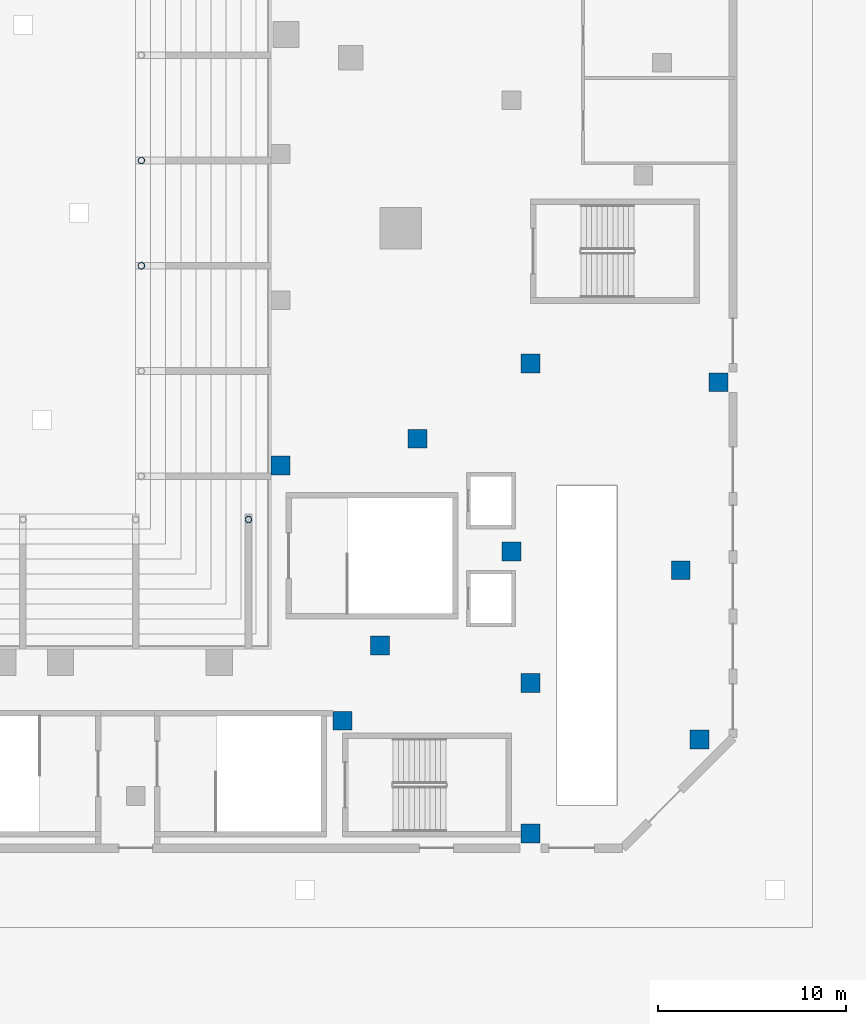
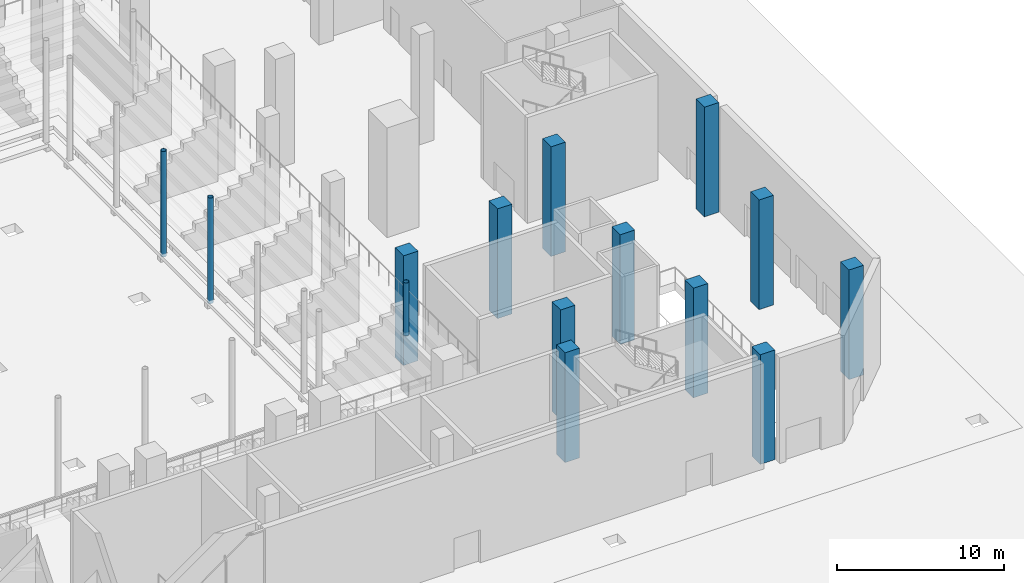
# One storey, part 9 of 41: 14 columns.
"""IFC4 building model written with IfcOpenShell, lengths in metres."""

from ifc_helpers import new_model, si_unit, direction, frame, origin, origin_2d, place, context, subcontext, project, spatial, rectangle, hollow_circle, extrude, material, material_profile, profile_set, type_object, element, save


model = new_model("IFC4")

# Units and contexts
model_context = context("Model", 3, precision=1e-05, world=origin(), true_north=direction((0.0, 1.0)))
body_context = subcontext(model_context, "Body", "Model", "MODEL_VIEW")
ifc_project = project(units=[si_unit("LENGTHUNIT", "METRE"), si_unit("AREAUNIT", "SQUARE_METRE"), si_unit("VOLUMEUNIT", "CUBIC_METRE"), si_unit("PLANEANGLEUNIT", "RADIAN"), si_unit("MASSUNIT", "GRAM", prefix="KILO")], contexts=[model_context])

# Site, building, storey
site_placement = place(None, origin())
site = spatial("IfcSite", under=ifc_project, at=site_placement, CompositionType="ELEMENT")
building_placement = place(site_placement, origin())
building = spatial("IfcBuilding", under=site, at=building_placement, Name="Wharfspan Tower", CompositionType="ELEMENT")
storey_placement = place(building_placement, origin())
storey = spatial("IfcBuildingStorey", under=building, at=storey_placement, Name="L00", CompositionType="ELEMENT", Elevation=0.0)

# Columns
ifc_material_1 = material(Name="Concrete C60/75", Category="concrete")
ifc_material_profile_1 = material_profile(ifc_material_1, rectangle(XDim=1.0, YDim=1.0, at=origin_2d()))
ifc_profile_set_1 = profile_set([ifc_material_profile_1], Name="Concrete C60/75")
column_type_1 = type_object("IfcColumnType", Name="Concrete column 1000 square", PredefinedType="COLUMN", material=ifc_profile_set_1)
for number, where, z_axis, x_axis, name in (
    (1, (83.699951, -11.419922, 0.0), (0.0, 0.0, 1.0), (1.0, 0.0, 0.0), "Column G.E6"),
    (2, (106.0, -26.0, 0.0), (0.0, 0.0, 1.0), (1.0, 0.0, 0.0), "Column D.2"),
    (3, (107.0, -7.0, 0.0), (0.0, 0.0, 1.0), (1.0, 0.0, 0.0), "Column D.5"),
    (4, (97.0, -31.0, 0.0), (0.0, 0.0, 1.0), (1.0, 0.0, 0.0), "Column D.11"),
    (5, (96.0, -16.0, 0.0), (0.0, 0.0, 1.0), (1.0, 0.0, 0.0), "Column D.13"),
    (6, (87.0, -25.0, 0.0), (0.0, 0.0, 1.0), (1.0, 0.0, 0.0), "Column D.20"),
    (7, (97.0, -6.0, 0.0), (0.0, 0.0, 1.0), (1.0, 0.0, 0.0), "Column D.28"),
    (8, (105.0, -17.0, 0.0), (0.0, 0.0, 1.0), (1.0, 0.0, 0.0), "Column D.34"),
    (9, (97.0, -23.0, 0.0), (0.0, 0.0, 1.0), (1.0, 0.0, 0.0), "Column D.52"),
    (10, (89.0, -21.0, 0.0), (0.0, 0.0, 1.0), (1.0, 0.0, 0.0), "Column D.54"),
    (11, (91.0, -10.0, 0.0), (0.0, 0.0, 1.0), (1.0, 0.0, 0.0), "Column D.58"),
):
    element("IfcColumn", number, at=place(storey_placement, frame(where, z_axis=z_axis, x_axis=x_axis)), inside=storey, type_object=column_type_1, Name=name, PredefinedType="COLUMN", context=body_context, shape_type="SweptSolid", body=[
        extrude(rectangle(XDim=1.0, YDim=1.0, at=origin_2d()), origin(), (0.0, 0.0, 1.0), 8.0),
    ])
ifc_material_2 = material(Name="Steel S460NH", Category="steel")
ifc_material_profile_2 = material_profile(ifc_material_2, hollow_circle(Radius=0.177734, WallThickness=0.016113, at=origin_2d()))
ifc_profile_set_2 = profile_set([ifc_material_profile_2], Name="Steel S460NH")
column_type_2 = type_object("IfcColumnType", Name="Tier column CHS 356x16", PredefinedType="COLUMN", material=ifc_profile_set_2)
column_placement = place(storey_placement, frame((82.0, -14.300049, 4.149902), z_axis=(0.0, 0.0, 1.0), x_axis=(1.0, 0.0, 0.0)))
element("IfcColumn", 12, at=column_placement, inside=storey, type_object=column_type_2, Name="Upper tier column", PredefinedType="COLUMN", context=body_context, shape_type="SweptSolid", body=[
    extrude(hollow_circle(Radius=0.177734, WallThickness=0.016113, at=origin_2d()), origin(), (0.0, 0.0, 1.0), 3.850098),
])
for number, where, z_axis, x_axis, name in (
    (13, (76.300049, -0.800049, 0.300049), (0.0, 0.0, 1.0), (1.0, 0.0, 0.0), "Upper tier column"),
    (14, (76.300049, 4.800049, 0.300049), (0.0, 0.0, 1.0), (1.0, 0.0, 0.0), "Upper tier column"),
):
    element("IfcColumn", number, at=place(storey_placement, frame(where, z_axis=z_axis, x_axis=x_axis)), inside=storey, type_object=column_type_2, Name=name, PredefinedType="COLUMN", context=body_context, shape_type="SweptSolid", body=[
        extrude(hollow_circle(Radius=0.177734, WallThickness=0.016113, at=origin_2d()), origin(), (0.0, 0.0, 1.0), 7.699951),
    ])

save(model, "model.ifc")
